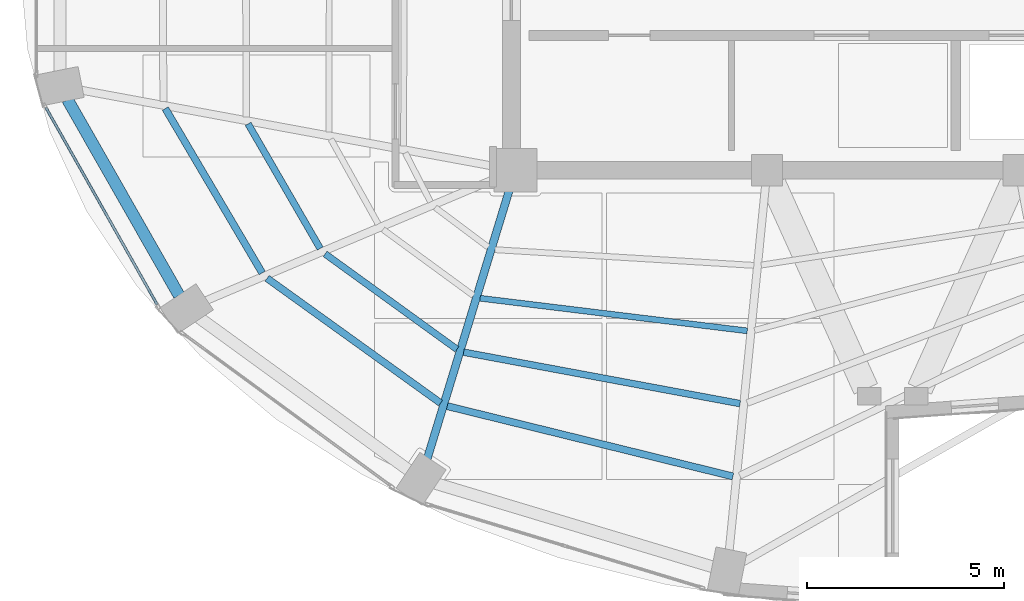
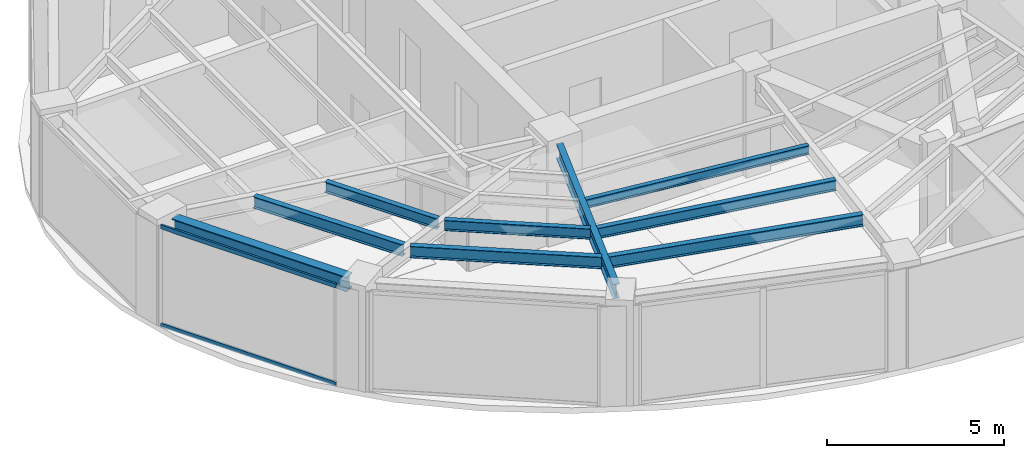
# One storey, part 3 of 23: 9 beams, 2 members, 1 element without a shape of its own.
"""IFC4 building model written with IfcOpenShell, lengths in metres."""

import ifcopenshell
import ifcopenshell.guid

model = None  # the IFC model being written
_history = None  # IfcOwnerHistory: only IFC2X3 demands one
_inside = {}  # id of a spatial element -> (the spatial element, [elements in it])
_under = {}  # id of a project, library or spatial element -> (it, [spatial elements below it])
_declared = {}  # id of a project -> (the project, [libraries it declares])
_typed = {}  # id of a type object -> (the type object, [elements of that type])
_made_of = {}  # id of a material, layer set ... -> (it, [elements and type objects made of it])


def new_model(schema):
    """Start an empty IFC model of exactly this schema.

    Asked for "IFC4X3", IfcOpenShell would pick the latest addendum, in which some entities
    have other attributes; the version numbers below select the first issue.
    IFC2X3 requires an IfcOwnerHistory on every rooted entity: one is made here for all.
    """
    global model, _history
    if schema == "IFC4X3":
        model = ifcopenshell.file(schema_version=(4, 3, 0, 0))
    else:
        model = ifcopenshell.file(schema=schema)
    _inside.clear()
    _under.clear()
    _declared.clear()
    _typed.clear()
    _made_of.clear()
    _history = None
    if model.schema == "IFC2X3":
        org = make("IfcOrganization", Name="unknown")
        user = make(
            "IfcPersonAndOrganization",
            ThePerson=make("IfcPerson", FamilyName="unknown"),
            TheOrganization=org,
        )
        app = make(
            "IfcApplication",
            ApplicationDeveloper=org,
            Version="unknown",
            ApplicationFullName="unknown",
            ApplicationIdentifier="unknown",
        )
        _history = make(
            "IfcOwnerHistory",
            OwningUser=user,
            OwningApplication=app,
            ChangeAction="ADDED",
            CreationDate=0,
        )
    return model


def make(cls, **values):
    """One entity of the class cls with the attributes given. An attribute that is None is left unset."""
    return model.create_entity(
        cls, **{name: value for name, value in values.items() if value is not None}
    )


def rooted(cls, **values):
    """An entity with a GlobalId (a new one), such as an element, a storey or a relation."""
    return make(cls, GlobalId=ifcopenshell.guid.new(), OwnerHistory=_history, **values)


def si_unit(unit_type, name, prefix=None):
    """IfcSIUnit, for example si_unit("LENGTHUNIT", "METRE", prefix="MILLI")."""
    return make("IfcSIUnit", UnitType=unit_type, Prefix=prefix, Name=name)


def assignment(units):
    """IfcUnitAssignment: the units of a project."""
    return None if units is None else make("IfcUnitAssignment", Units=units)


def point(xyz):
    """IfcCartesianPoint."""
    return None if xyz is None else make("IfcCartesianPoint", Coordinates=xyz)


def direction(xyz):
    """IfcDirection."""
    return None if xyz is None else make("IfcDirection", DirectionRatios=xyz)


def frame(location, z_axis=None, x_axis=None):
    """IfcAxis2Placement3D, a coordinate frame: its origin and axes. An axis left out is left unset."""
    return make(
        "IfcAxis2Placement3D",
        Location=point(location),
        Axis=direction(z_axis),
        RefDirection=direction(x_axis),
    )


def frame_2d(location, x_axis=None):
    """IfcAxis2Placement2D, a coordinate frame in the plane: its origin and x axis."""
    return make(
        "IfcAxis2Placement2D", Location=point(location), RefDirection=direction(x_axis)
    )


def origin():
    """The frame at (0, 0, 0) with its axes left unset."""
    return frame((0.0, 0.0, 0.0))


def origin_2d():
    """The frame at (0, 0) in the plane with its x axis left unset."""
    return frame_2d((0.0, 0.0))


def place(relative_to, where):
    """IfcLocalPlacement: puts the frame where relative to a parent placement (None: the world)."""
    return make(
        "IfcLocalPlacement", PlacementRelTo=relative_to, RelativePlacement=where
    )


def context(
    kind, dimensions, precision=None, world=None, true_north=None, identifier=None
):
    """IfcGeometricRepresentationContext, for example the 3D "Model" context."""
    return make(
        "IfcGeometricRepresentationContext",
        ContextIdentifier=identifier,
        ContextType=kind,
        CoordinateSpaceDimension=dimensions,
        Precision=precision,
        WorldCoordinateSystem=world,
        TrueNorth=true_north,
    )


def subcontext(parent, identifier, kind, view, scale=None):
    """IfcGeometricRepresentationSubContext, for example "Body" below "Model"."""
    return make(
        "IfcGeometricRepresentationSubContext",
        ContextIdentifier=identifier,
        ContextType=kind,
        ParentContext=parent,
        TargetScale=scale,
        TargetView=view,
    )


def project(units=None, contexts=None):
    """IfcProject with its units and contexts."""
    return rooted(
        "IfcProject",
        Name="project",
        RepresentationContexts=contexts,
        UnitsInContext=assignment(units),
    )


def spatial(cls, under=None, at=None, **own):
    """A site, building, storey or space (cls), placed at a placement, below another one or the project."""
    s = rooted(cls, ObjectPlacement=at, **own)
    if under is not None:
        _under.setdefault(under.id(), (under, []))[1].append(s)
    return s


def profile(cls, at=None, kind="AREA", **sizes):
    """A parametric profile (cls). Its sizes go by their IFC names, for example OverallWidth=200.0."""
    return make(cls, ProfileType=kind, Position=at, **sizes)


def hollow_rectangle(**sizes):
    """IfcRectangleHollowProfileDef."""
    return profile("IfcRectangleHollowProfileDef", **sizes)


def i_section(**sizes):
    """IfcIShapeProfileDef."""
    return profile("IfcIShapeProfileDef", **sizes)


def extrude(swept, where, along, depth):
    """IfcExtrudedAreaSolid: the profile swept, set in the frame where, extruded along a direction by depth."""
    return make(
        "IfcExtrudedAreaSolid",
        SweptArea=swept,
        Position=where,
        ExtrudedDirection=direction(along),
        Depth=depth,
    )


def shape(context_of_items, identifier, shape_type, items):
    """IfcShapeRepresentation: the items that make up one representation, for example the "Body"."""
    return make(
        "IfcShapeRepresentation",
        ContextOfItems=context_of_items,
        RepresentationIdentifier=identifier,
        RepresentationType=shape_type,
        Items=items,
    )


def material(Name=None, Category=None):
    """IfcMaterial."""
    return make("IfcMaterial", Name=Name, Category=Category)


def layer(
    of_material, thickness, ventilated=None, Name=None, Category=None, Priority=None
):
    """IfcMaterialLayer: one layer of a wall or slab, of a material (None: an air gap)."""
    return make(
        "IfcMaterialLayer",
        Material=of_material,
        LayerThickness=thickness,
        IsVentilated=ventilated,
        Name=Name,
        Category=Category,
        Priority=Priority,
    )


def layer_set(layers, Name=None):
    """IfcMaterialLayerSet."""
    return make("IfcMaterialLayerSet", MaterialLayers=layers, LayerSetName=Name)


def material_profile(
    of_material, cross_section, Name=None, Category=None, Priority=None
):
    """IfcMaterialProfile: a cross section and its material."""
    return make(
        "IfcMaterialProfile",
        Name=Name,
        Material=of_material,
        Profile=cross_section,
        Priority=Priority,
        Category=Category,
    )


def profile_set(profiles, Name=None, composite=None):
    """IfcMaterialProfileSet."""
    return make(
        "IfcMaterialProfileSet",
        Name=Name,
        MaterialProfiles=profiles,
        CompositeProfile=composite,
    )


def made_of(thing, what):
    """Note that an element or type object is made of a material, layer set ...; save() writes the relation."""
    if what is not None:
        _made_of.setdefault(what.id(), (what, []))[1].append(thing)
    return thing


def type_object(cls, material=None, **own):
    """A type object (cls), such as IfcWallType, which elements share."""
    return made_of(rooted(cls, **own), material)


def element(
    cls,
    number,
    at=None,
    inside=None,
    cuts=None,
    type_object=None,
    material=None,
    context=None,
    identifier="Body",
    shape_type=None,
    held_by="IfcProductDefinitionShape",
    body=None,
    shapes=None,
    **own,
):
    """One element of the class cls, such as IfcWall. Its Tag is "e" and its number.

    at: its placement. inside: the storey or other place that contains it. cuts: it is an
    opening in that element (IfcRelVoidsElement). A single representation is given by context,
    identifier, shape_type and body (its items); several are given by shapes. held_by: the class
    of the entity that holds the representations. save() writes the other relations.
    """
    e = rooted(cls, Tag="e%d" % number, ObjectPlacement=at, **own)
    if body is not None:
        shapes = [shape(context, identifier, shape_type, body)]
    if shapes is not None:
        e.Representation = make(held_by, Representations=shapes)
    if inside is not None:
        _inside.setdefault(inside.id(), (inside, []))[1].append(e)
    if cuts is not None:
        rooted(
            "IfcRelVoidsElement", RelatingBuildingElement=cuts, RelatedOpeningElement=e
        )
    if type_object is not None:
        _typed.setdefault(type_object.id(), (type_object, []))[1].append(e)
    return made_of(e, material)


def aggregate(whole, parts):
    """IfcRelAggregates: a whole, such as a stair, and the parts it consists of."""
    return rooted("IfcRelAggregates", RelatingObject=whole, RelatedObjects=parts)


def save(model, path):
    """Write the relations noted so far, then the file.

    IfcRelAggregates (storeys below a building ...), IfcRelContainedInSpatialStructure (elements
    in a storey), IfcRelDefinesByType, IfcRelAssociatesMaterial and IfcRelDeclares: one each for
    every whole, place, type object, material and project.
    """
    for whole, parts in _under.values():
        aggregate(whole, parts)
    for where, things in _inside.values():
        rooted(
            "IfcRelContainedInSpatialStructure",
            RelatedElements=things,
            RelatingStructure=where,
        )
    for kind, things in _typed.values():
        rooted("IfcRelDefinesByType", RelatedObjects=things, RelatingType=kind)
    for what, things in _made_of.values():
        rooted("IfcRelAssociatesMaterial", RelatedObjects=things, RelatingMaterial=what)
    for by, libraries in _declared.values():
        rooted("IfcRelDeclares", RelatingContext=by, RelatedDefinitions=libraries)
    model.write(path)


model = new_model("IFC4")

# Units and contexts
model_context = context("Model", 3, precision=1e-05, world=origin(), true_north=direction((0.0, 1.0)))
body_context = subcontext(model_context, "Body", "Model", "MODEL_VIEW")
ifc_project = project(units=[si_unit("LENGTHUNIT", "METRE"), si_unit("AREAUNIT", "SQUARE_METRE"), si_unit("VOLUMEUNIT", "CUBIC_METRE"), si_unit("PLANEANGLEUNIT", "RADIAN"), si_unit("MASSUNIT", "GRAM", prefix="KILO")], contexts=[model_context])

# Site, building, storey
site_placement = place(None, origin())
site = spatial("IfcSite", under=ifc_project, at=site_placement, CompositionType="ELEMENT")
building_placement = place(site_placement, origin())
building = spatial("IfcBuilding", under=site, at=building_placement, Name="Lazwardi Medical Tower", CompositionType="ELEMENT")
storey_placement = place(building_placement, frame((0.0, 0.0, 234.9599609375)))
storey = spatial("IfcBuildingStorey", under=building, at=storey_placement, Name="L61", CompositionType="ELEMENT", Elevation=234.9599609375)

# Beams
ifc_material_1 = material(Name="Steel S355", Category="steel")
ifc_material_profile_1 = material_profile(ifc_material_1, i_section(OverallWidth=0.300048828125, OverallDepth=0.5, WebThickness=0.014404296875, FlangeThickness=0.028076171875, at=origin_2d()), Name="HEB 500")
ifc_profile_set_1 = profile_set([ifc_material_profile_1], Name="Steel S355")
beam_type_1 = type_object("IfcBeamType", Name="BM-RB-Z4", PredefinedType="BEAM", material=ifc_profile_set_1)
beam_1_placement = place(storey_placement, frame((15.008056640625, 22.1982421875, 3.197998046875), z_axis=(0.495125273299, -0.868821594886, 0.0), x_axis=(0.868821594886, 0.495125273299, 0.0)))
element("IfcBeam", 1, at=beam_1_placement, inside=storey, type_object=beam_type_1, Name="Ring beam RB-05 B13 L61", PredefinedType="BEAM", context=body_context, shape_type="SweptSolid", body=[
    extrude(i_section(OverallWidth=0.300048828125, OverallDepth=0.5, WebThickness=0.014404296875, FlangeThickness=0.028076171875, at=origin_2d()), origin(), (0.0, 0.0, 1.0), 5.734130859375),
])
ifc_material_profile_2 = material_profile(ifc_material_1, i_section(OverallWidth=0.199951171875, OverallDepth=0.5, WebThickness=0.01025390625, FlangeThickness=0.01611328125, at=origin_2d()), Name="IPE 500")
ifc_profile_set_2 = profile_set([ifc_material_profile_2], Name="Steel S355")
beam_type_2 = type_object("IfcBeamType", Name="BM-RG-W3", PredefinedType="BEAM", material=ifc_profile_set_2)
beam_2_placement = place(storey_placement, frame((24.156005859375, 13.0576171875, 3.197998046875), z_axis=(0.292276716539, 0.956333791607, 0.0), x_axis=(-0.956333791607, 0.292276716539, 0.0)))
element("IfcBeam", 2, at=beam_2_placement, inside=storey, type_object=beam_type_2, Name="Radial girder RG-04 R15 L61", PredefinedType="BEAM", context=body_context, shape_type="SweptSolid", body=[
    extrude(i_section(OverallWidth=0.199951171875, OverallDepth=0.5, WebThickness=0.01025390625, FlangeThickness=0.01611328125, at=origin_2d()), origin(), (0.0, 0.0, 1.0), 7.142822265625),
])
ifc_material_profile_3 = material_profile(ifc_material_1, i_section(OverallWidth=0.179931640625, OverallDepth=0.39990234375, WebThickness=0.008544921875, FlangeThickness=0.013427734375, at=origin_2d()), Name="IPE 400")
ifc_profile_set_3 = profile_set([ifc_material_profile_3], Name="Steel S355")
beam_type_3 = type_object("IfcBeamType", Name="BM-SJ-01", PredefinedType="JOIST", material=ifc_profile_set_3)
beam_3_placement = place(storey_placement, frame((17.495849609375, 21.969482421875, 3.248046875), z_axis=(0.507710311367, -0.861527851977, 0.0), x_axis=(0.861527851977, 0.507710311367, 0.0)))
element("IfcBeam", 3, at=beam_3_placement, inside=storey, type_object=beam_type_3, Name="Secondary joist SJ-01 R1 B13 L61", PredefinedType="JOIST", context=body_context, shape_type="SweptSolid", body=[
    extrude(i_section(OverallWidth=0.179931640625, OverallDepth=0.39990234375, WebThickness=0.008544921875, FlangeThickness=0.013427734375, at=origin_2d()), origin(), (0.0, 0.0, 1.0), 4.852783203125),
])
beam_4_placement = place(storey_placement, frame((20.085205078125, 17.651123046875, 3.248046875), z_axis=(0.811889581337, -0.58381102055, 0.0), x_axis=(0.58381102055, 0.811889581337, 0.0)))
element("IfcBeam", 4, at=beam_4_placement, inside=storey, type_object=beam_type_3, Name="Secondary joist SJ-01 R1 B14 L61", PredefinedType="JOIST", context=body_context, shape_type="SweptSolid", body=[
    extrude(i_section(OverallWidth=0.179931640625, OverallDepth=0.39990234375, WebThickness=0.008544921875, FlangeThickness=0.013427734375, at=origin_2d()), origin(), (0.0, 0.0, 1.0), 5.433349609375),
])
beam_5_placement = place(storey_placement, frame((24.665771484375, 14.40087890625, 3.248046875), z_axis=(0.971041669317, -0.238910184904, 0.0), x_axis=(0.238910184904, 0.971041669317, 0.0)))
element("IfcBeam", 5, at=beam_5_placement, inside=storey, type_object=beam_type_3, Name="Secondary joist SJ-01 R1 B15 L61", PredefinedType="JOIST", context=body_context, shape_type="SweptSolid", body=[
    extrude(i_section(OverallWidth=0.179931640625, OverallDepth=0.39990234375, WebThickness=0.008544921875, FlangeThickness=0.013427734375, at=origin_2d()), origin(), (0.0, 0.0, 1.0), 7.482421875),
])
ifc_material_profile_4 = material_profile(ifc_material_1, i_section(OverallWidth=0.169921875, OverallDepth=0.360107421875, WebThickness=0.008056640625, FlangeThickness=0.0126953125, at=origin_2d()), Name="IPE 360")
ifc_profile_set_4 = profile_set([ifc_material_profile_4], Name="Steel S355")
beam_type_4 = type_object("IfcBeamType", Name="BM-SJ-02", PredefinedType="JOIST", material=ifc_profile_set_4)
beam_6_placement = place(storey_placement, frame((19.601806640625, 21.58056640625, 3.26806640625), z_axis=(0.500655179543, -0.865646805109, 0.0), x_axis=(0.865646805109, 0.500655179543, 0.0)))
element("IfcBeam", 6, at=beam_6_placement, inside=storey, type_object=beam_type_4, Name="Secondary joist SJ-02 R2 B13 L61", PredefinedType="JOIST", context=body_context, shape_type="SweptSolid", body=[
    extrude(i_section(OverallWidth=0.169921875, OverallDepth=0.360107421875, WebThickness=0.008056640625, FlangeThickness=0.0126953125, at=origin_2d()), origin(), (0.0, 0.0, 1.0), 3.662109375),
])
beam_7_placement = place(storey_placement, frame((21.559814453125, 18.2724609375, 3.26806640625), z_axis=(0.810164229155, -0.586202969796, 0.0), x_axis=(0.586202969796, 0.810164229155, 0.0)))
element("IfcBeam", 7, at=beam_7_placement, inside=storey, type_object=beam_type_4, Name="Secondary joist SJ-02 R2 B14 L61", PredefinedType="JOIST", context=body_context, shape_type="SweptSolid", body=[
    extrude(i_section(OverallWidth=0.169921875, OverallDepth=0.360107421875, WebThickness=0.008056640625, FlangeThickness=0.0126953125, at=origin_2d()), origin(), (0.0, 0.0, 1.0), 4.14013671875),
])
beam_8_placement = place(storey_placement, frame((25.08447265625, 15.7724609375, 3.26806640625), z_axis=(0.983132476587, -0.182894870019, 0.0), x_axis=(0.182894870019, 0.983132476587, 0.0)))
element("IfcBeam", 8, at=beam_8_placement, inside=storey, type_object=beam_type_4, Name="Secondary joist SJ-02 R2 B15 L61", PredefinedType="JOIST", context=body_context, shape_type="SweptSolid", body=[
    extrude(i_section(OverallWidth=0.169921875, OverallDepth=0.360107421875, WebThickness=0.008056640625, FlangeThickness=0.0126953125, at=origin_2d()), origin(), (0.0, 0.0, 1.0), 7.15087890625),
])
ifc_material_profile_5 = material_profile(ifc_material_1, i_section(OverallWidth=0.14990234375, OverallDepth=0.300048828125, WebThickness=0.007080078125, FlangeThickness=0.0107421875, at=origin_2d()), Name="IPE 300")
ifc_profile_set_5 = profile_set([ifc_material_profile_5], Name="Steel S355")
beam_type_5 = type_object("IfcBeamType", Name="BM-SJ-03", PredefinedType="JOIST", material=ifc_profile_set_5)
beam_9_placement = place(storey_placement, frame((25.5029296875, 17.14453125, 3.298095703125), z_axis=(0.992634689535, -0.121146081783, 0.0), x_axis=(0.121146081783, 0.992634689535, 0.0)))
element("IfcBeam", 9, at=beam_9_placement, inside=storey, type_object=beam_type_5, Name="Secondary joist SJ-03 R3 B15 L61", PredefinedType="JOIST", context=body_context, shape_type="SweptSolid", body=[
    extrude(i_section(OverallWidth=0.14990234375, OverallDepth=0.300048828125, WebThickness=0.007080078125, FlangeThickness=0.0107421875, at=origin_2d()), origin(), (0.0, 0.0, 1.0), 6.845947265625),
])

# Curtain wall, members
ifc_material_2 = material(Name="Anodised bronze aluminium and solar control glazing", Category="aluminium")
ifc_layer = layer(ifc_material_2, 0.18994140625)
ifc_layer_set = layer_set([ifc_layer], Name="Anodised bronze aluminium and solar control glazing")
curtain_wall_type = type_object("IfcCurtainWallType", Name="CW-SYS-04", PredefinedType="NOTDEFINED", material=ifc_layer_set)
curtain_wall_placement = place(storey_placement, origin())
curtain_wall = element("IfcCurtainWall", 10, at=curtain_wall_placement, inside=storey, type_object=curtain_wall_type, Name="L61 Unitised bronze curtain wall CW-04", PredefinedType="NOTDEFINED")
ifc_material_3 = material(Name="Anodised bronze aluminium", Category="aluminium")
ifc_material_profile_6 = material_profile(ifc_material_3, hollow_rectangle(XDim=0.06494140625, YDim=0.139892578125, WallThickness=0.00341796875, at=origin_2d()), Name="ALU-TRANSOM 140x65x3.5")
ifc_profile_set_6 = profile_set([ifc_material_profile_6], Name="Anodised bronze aluminium")
member_type = type_object("IfcMemberType", Name="CW-TRN-03", PredefinedType="USERDEFINED", material=ifc_profile_set_6)
member_1_placement = place(storey_placement, frame((14.458740234375, 21.993408203125, 0.032470703125), z_axis=(0.491897887635, -0.870652897623, 0.0), x_axis=(0.870652897623, 0.491897887635, 0.0)))
member_1 = element("IfcMember", 11, at=member_1_placement, type_object=member_type, Name="CW-04 transom 1.1", ObjectType="TRANSOM", PredefinedType="USERDEFINED", context=body_context, shape_type="SweptSolid", body=[
    extrude(hollow_rectangle(XDim=0.06494140625, YDim=0.139892578125, WallThickness=0.00341796875, at=origin_2d()), origin(), (0.0, 0.0, 1.0), 5.7548828125),
])
member_2_placement = place(storey_placement, frame((14.458740234375, 21.993408203125, 3.41552734375), z_axis=(0.491897887635, -0.870652897623, 0.0), x_axis=(0.870652897623, 0.491897887635, 0.0)))
member_2 = element("IfcMember", 12, at=member_2_placement, type_object=member_type, Name="CW-04 transom 1.2", ObjectType="TRANSOM", PredefinedType="USERDEFINED", context=body_context, shape_type="SweptSolid", body=[
    extrude(hollow_rectangle(XDim=0.06494140625, YDim=0.139892578125, WallThickness=0.00341796875, at=origin_2d()), origin(), (0.0, 0.0, 1.0), 5.7548828125),
])
aggregate(curtain_wall, [member_1, member_2])

save(model, "model.ifc")
